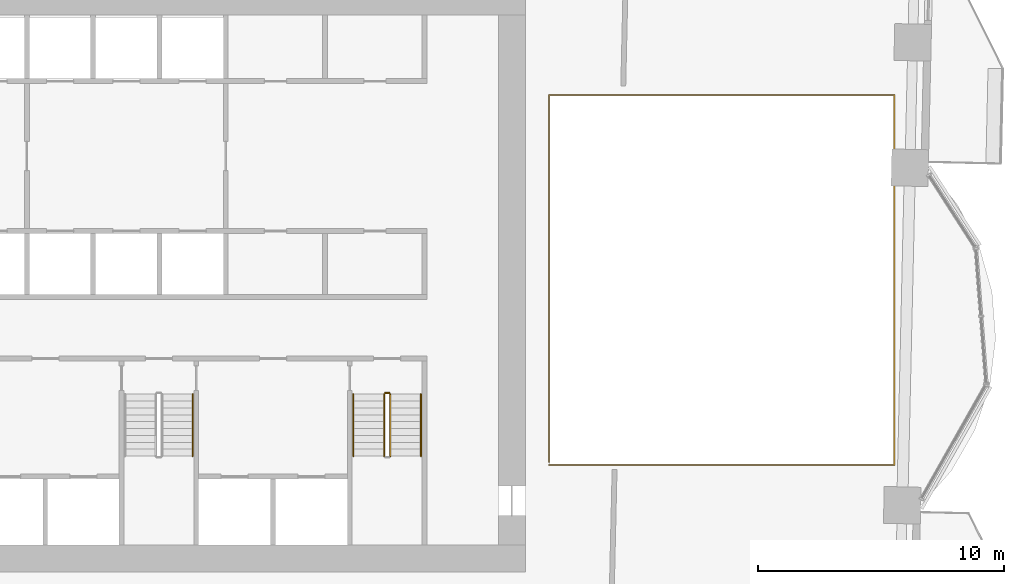
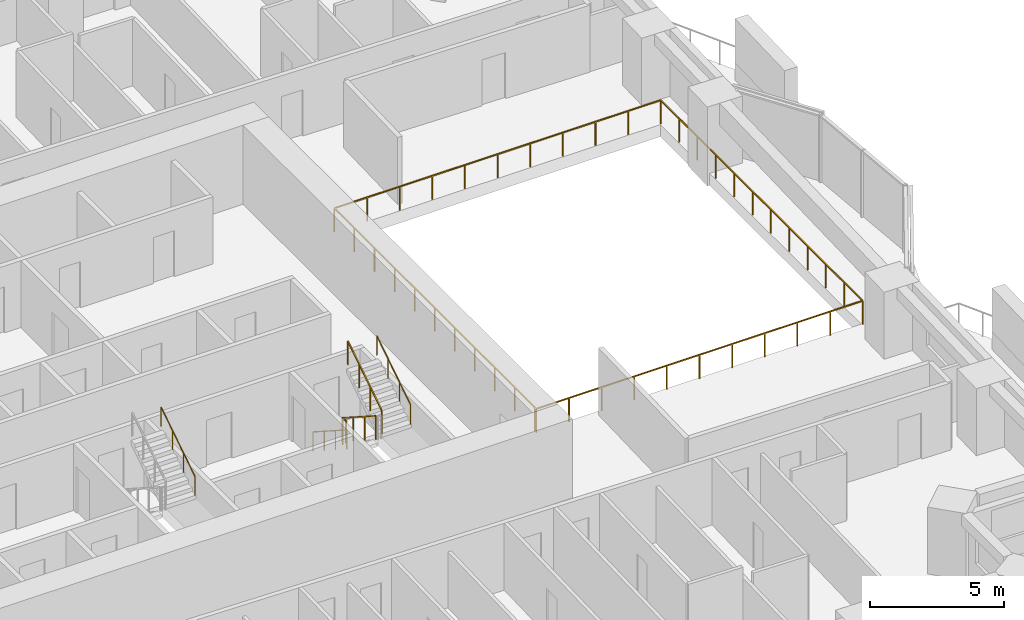
# One storey, part 18 of 19: 7 railings.
"""IFC4 building model written with IfcOpenShell, lengths in metres."""

from ifc_helpers import new_model, si_unit, direction, frame, origin, origin_2d, place, context, subcontext, project, spatial, rectangle, circle, extrude, material, type_object, element, save


model = new_model("IFC4")

# Units and contexts
model_context = context("Model", 3, precision=1e-05, world=origin(), true_north=direction((0.0, 1.0)))
body_context = subcontext(model_context, "Body", "Model", "MODEL_VIEW")
ifc_project = project(units=[si_unit("LENGTHUNIT", "METRE"), si_unit("AREAUNIT", "SQUARE_METRE"), si_unit("VOLUMEUNIT", "CUBIC_METRE"), si_unit("PLANEANGLEUNIT", "RADIAN"), si_unit("MASSUNIT", "GRAM", prefix="KILO")], contexts=[model_context])

# Site, building, storey
site_placement = place(None, origin())
site = spatial("IfcSite", under=ifc_project, at=site_placement, CompositionType="ELEMENT")
building_placement = place(site_placement, origin())
building = spatial("IfcBuilding", under=site, at=building_placement, Name="Mangrove Gate Tower", CompositionType="ELEMENT")
storey_placement = place(building_placement, frame((0.0, 0.0, 63.89990234375)))
storey = spatial("IfcBuildingStorey", under=building, at=storey_placement, Name="L15", CompositionType="ELEMENT", Elevation=63.89990234375)

# Railings
ifc_material_1 = material(Name="Stainless steel grade 316 with laminated glass infill", Category="steel")
railing_type_1 = type_object("IfcRailingType", Name="Balcony guard 1100", PredefinedType="GUARDRAIL", material=ifc_material_1)
railing_1_placement = place(storey_placement, frame((15.860107421875, -7.5400390625, 0.0)))
element("IfcRailing", 1, at=railing_1_placement, inside=storey, type_object=railing_type_1, Name="GUARD L15 atrium", PredefinedType="GUARDRAIL", context=body_context, shape_type="SweptSolid", body=[
    extrude(rectangle(XDim=0.048095703125, YDim=0.048095703125, at=origin_2d()), frame((0.0, 0.0, 1.076171875), z_axis=(1.0, 0.0, 0.0), x_axis=(0.0, 1.0, 0.0)), (0.0, 0.0, 1.0), 14.06982421875),
    extrude(rectangle(XDim=0.048095703125, YDim=0.048095703125, at=origin_2d()), frame((14.06982421875, 0.0, 1.076171875), z_axis=(0.0, 1.0, 0.0), x_axis=(-1.0, 0.0, 0.0)), (0.0, 0.0, 1.0), 15.080078125),
    extrude(rectangle(XDim=0.048095703125, YDim=0.048095703125, at=origin_2d()), frame((14.06982421875, 15.080078125, 1.076171875), z_axis=(-1.0, 0.0, 0.0), x_axis=(0.0, -1.0, 0.0)), (0.0, 0.0, 1.0), 14.06982421875),
    extrude(rectangle(XDim=0.048095703125, YDim=0.048095703125, at=origin_2d()), frame((0.0, 15.080078125, 1.076171875), z_axis=(0.0, -1.0, 0.0), x_axis=(1.0, 0.0, 0.0)), (0.0, 0.0, 1.0), 14.9599609375),
    extrude(rectangle(XDim=0.0419921875, YDim=0.0419921875, at=origin_2d()), origin(), (0.0, 0.0, 1.0), 1.052001953125),
    extrude(rectangle(XDim=0.0419921875, YDim=0.0419921875, at=origin_2d()), frame((1.406982421875, 0.0, 0.0)), (0.0, 0.0, 1.0), 1.052001953125),
    extrude(rectangle(XDim=0.0419921875, YDim=0.0419921875, at=origin_2d()), frame((2.81396484375, 0.0, 0.0)), (0.0, 0.0, 1.0), 1.052001953125),
    extrude(rectangle(XDim=0.0419921875, YDim=0.0419921875, at=origin_2d()), frame((4.220947265625, 0.0, 0.0)), (0.0, 0.0, 1.0), 1.052001953125),
    extrude(rectangle(XDim=0.0419921875, YDim=0.0419921875, at=origin_2d()), frame((5.6279296875, 0.0, 0.0)), (0.0, 0.0, 1.0), 1.052001953125),
    extrude(rectangle(XDim=0.0419921875, YDim=0.0419921875, at=origin_2d()), frame((7.034912109375, 0.0, 0.0)), (0.0, 0.0, 1.0), 1.052001953125),
    extrude(rectangle(XDim=0.0419921875, YDim=0.0419921875, at=origin_2d()), frame((8.44189453125, 0.0, 0.0)), (0.0, 0.0, 1.0), 1.052001953125),
    extrude(rectangle(XDim=0.0419921875, YDim=0.0419921875, at=origin_2d()), frame((9.848876953125, 0.0, 0.0)), (0.0, 0.0, 1.0), 1.052001953125),
    extrude(rectangle(XDim=0.0419921875, YDim=0.0419921875, at=origin_2d()), frame((11.255859375, 0.0, 0.0)), (0.0, 0.0, 1.0), 1.052001953125),
    extrude(rectangle(XDim=0.0419921875, YDim=0.0419921875, at=origin_2d()), frame((12.662841796875, 0.0, 0.0)), (0.0, 0.0, 1.0), 1.052001953125),
    extrude(rectangle(XDim=0.0419921875, YDim=0.0419921875, at=origin_2d()), frame((14.06982421875, 0.0, 0.0)), (0.0, 0.0, 1.0), 1.052001953125),
    extrude(rectangle(XDim=0.0419921875, YDim=0.0419921875, at=origin_2d()), frame((14.06982421875, 1.370849609375, 0.0)), (0.0, 0.0, 1.0), 1.052001953125),
    extrude(rectangle(XDim=0.0419921875, YDim=0.0419921875, at=origin_2d()), frame((14.06982421875, 2.741943359375, 0.0)), (0.0, 0.0, 1.0), 1.052001953125),
    extrude(rectangle(XDim=0.0419921875, YDim=0.0419921875, at=origin_2d()), frame((14.06982421875, 4.11279296875, 0.0)), (0.0, 0.0, 1.0), 1.052001953125),
    extrude(rectangle(XDim=0.0419921875, YDim=0.0419921875, at=origin_2d()), frame((14.06982421875, 5.483642578125, 0.0)), (0.0, 0.0, 1.0), 1.052001953125),
    extrude(rectangle(XDim=0.0419921875, YDim=0.0419921875, at=origin_2d()), frame((14.06982421875, 6.8544921875, 0.0)), (0.0, 0.0, 1.0), 1.052001953125),
    extrude(rectangle(XDim=0.0419921875, YDim=0.0419921875, at=origin_2d()), frame((14.06982421875, 8.2255859375, 0.0)), (0.0, 0.0, 1.0), 1.052001953125),
    extrude(rectangle(XDim=0.0419921875, YDim=0.0419921875, at=origin_2d()), frame((14.06982421875, 9.596435546875, 0.0)), (0.0, 0.0, 1.0), 1.052001953125),
    extrude(rectangle(XDim=0.0419921875, YDim=0.0419921875, at=origin_2d()), frame((14.06982421875, 10.96728515625, 0.0)), (0.0, 0.0, 1.0), 1.052001953125),
    extrude(rectangle(XDim=0.0419921875, YDim=0.0419921875, at=origin_2d()), frame((14.06982421875, 12.338134765625, 0.0)), (0.0, 0.0, 1.0), 1.052001953125),
    extrude(rectangle(XDim=0.0419921875, YDim=0.0419921875, at=origin_2d()), frame((14.06982421875, 13.709228515625, 0.0)), (0.0, 0.0, 1.0), 1.052001953125),
    extrude(rectangle(XDim=0.0419921875, YDim=0.0419921875, at=origin_2d()), frame((14.06982421875, 15.080078125, 0.0)), (0.0, 0.0, 1.0), 1.052001953125),
    extrude(rectangle(XDim=0.0419921875, YDim=0.0419921875, at=origin_2d()), frame((12.662841796875, 15.080078125, 0.0)), (0.0, 0.0, 1.0), 1.052001953125),
    extrude(rectangle(XDim=0.0419921875, YDim=0.0419921875, at=origin_2d()), frame((11.255859375, 15.080078125, 0.0)), (0.0, 0.0, 1.0), 1.052001953125),
    extrude(rectangle(XDim=0.0419921875, YDim=0.0419921875, at=origin_2d()), frame((9.848876953125, 15.080078125, 0.0)), (0.0, 0.0, 1.0), 1.052001953125),
    extrude(rectangle(XDim=0.0419921875, YDim=0.0419921875, at=origin_2d()), frame((8.44189453125, 15.080078125, 0.0)), (0.0, 0.0, 1.0), 1.052001953125),
    extrude(rectangle(XDim=0.0419921875, YDim=0.0419921875, at=origin_2d()), frame((7.034912109375, 15.080078125, 0.0)), (0.0, 0.0, 1.0), 1.052001953125),
    extrude(rectangle(XDim=0.0419921875, YDim=0.0419921875, at=origin_2d()), frame((5.6279296875, 15.080078125, 0.0)), (0.0, 0.0, 1.0), 1.052001953125),
    extrude(rectangle(XDim=0.0419921875, YDim=0.0419921875, at=origin_2d()), frame((4.220947265625, 15.080078125, 0.0)), (0.0, 0.0, 1.0), 1.052001953125),
    extrude(rectangle(XDim=0.0419921875, YDim=0.0419921875, at=origin_2d()), frame((2.81396484375, 15.080078125, 0.0)), (0.0, 0.0, 1.0), 1.052001953125),
    extrude(rectangle(XDim=0.0419921875, YDim=0.0419921875, at=origin_2d()), frame((1.406982421875, 15.080078125, 0.0)), (0.0, 0.0, 1.0), 1.052001953125),
    extrude(rectangle(XDim=0.0419921875, YDim=0.0419921875, at=origin_2d()), frame((0.0, 15.080078125, 0.0)), (0.0, 0.0, 1.0), 1.052001953125),
    extrude(rectangle(XDim=0.0419921875, YDim=0.0419921875, at=origin_2d()), frame((0.0, 13.583984375, 0.0)), (0.0, 0.0, 1.0), 1.052001953125),
    extrude(rectangle(XDim=0.0419921875, YDim=0.0419921875, at=origin_2d()), frame((0.0, 12.088134765625, 0.0)), (0.0, 0.0, 1.0), 1.052001953125),
    extrude(rectangle(XDim=0.0419921875, YDim=0.0419921875, at=origin_2d()), frame((0.0, 10.592041015625, 0.0)), (0.0, 0.0, 1.0), 1.052001953125),
    extrude(rectangle(XDim=0.0419921875, YDim=0.0419921875, at=origin_2d()), frame((0.0, 9.09619140625, 0.0)), (0.0, 0.0, 1.0), 1.052001953125),
    extrude(rectangle(XDim=0.0419921875, YDim=0.0419921875, at=origin_2d()), frame((0.0, 7.60009765625, 0.0)), (0.0, 0.0, 1.0), 1.052001953125),
    extrude(rectangle(XDim=0.0419921875, YDim=0.0419921875, at=origin_2d()), frame((0.0, 6.10400390625, 0.0)), (0.0, 0.0, 1.0), 1.052001953125),
    extrude(rectangle(XDim=0.0419921875, YDim=0.0419921875, at=origin_2d()), frame((0.0, 4.608154296875, 0.0)), (0.0, 0.0, 1.0), 1.052001953125),
    extrude(rectangle(XDim=0.0419921875, YDim=0.0419921875, at=origin_2d()), frame((0.0, 3.112060546875, 0.0)), (0.0, 0.0, 1.0), 1.052001953125),
    extrude(rectangle(XDim=0.0419921875, YDim=0.0419921875, at=origin_2d()), frame((0.0, 1.6162109375, 0.0)), (0.0, 0.0, 1.0), 1.052001953125),
    extrude(rectangle(XDim=0.0419921875, YDim=0.0419921875, at=origin_2d()), frame((0.0, 0.1201171875, 0.0)), (0.0, 0.0, 1.0), 1.052001953125),
])
ifc_material_2 = material(Name="Stainless steel 316", Category="steel")
railing_type_2 = type_object("IfcRailingType", Name="Core stair guard 1100", PredefinedType="GUARDRAIL", material=ifc_material_2)
railing_2_placement = place(storey_placement, frame((9.14990234375, -4.64990234375, 0.18017578125)))
element("IfcRailing", 2, at=railing_2_placement, inside=storey, type_object=railing_type_2, Name="L15 ST3 stair guard 1", PredefinedType="GUARDRAIL", context=body_context, shape_type="SweptSolid", body=[
    extrude(rectangle(XDim=0.048095703125, YDim=0.048095703125, at=origin_2d()), frame((0.0, 0.0, 1.076171875), z_axis=(0.0, -0.841199657755, 0.540724639528), x_axis=(1.0, 0.0, 0.0)), (0.0, 0.0, 1.0), 2.995849609375),
    extrude(rectangle(XDim=0.0419921875, YDim=0.0419921875, at=origin_2d()), origin(), (0.0, 0.0, 1.0), 1.052001953125),
    extrude(rectangle(XDim=0.0419921875, YDim=0.0419921875, at=origin_2d()), frame((0.0, -0.840087890625, 0.5400390625)), (0.0, 0.0, 1.0), 1.052001953125),
    extrude(rectangle(XDim=0.0419921875, YDim=0.0419921875, at=origin_2d()), frame((0.0, -1.679931640625, 1.079833984375)), (0.0, 0.0, 1.0), 1.052001953125),
    extrude(rectangle(XDim=0.0419921875, YDim=0.0419921875, at=origin_2d()), frame((0.0, -2.52001953125, 1.619873046875)), (0.0, 0.0, 1.0), 1.052001953125),
])
railing_3_placement = place(storey_placement, frame((9.39990234375, -7.169921875, 1.97998046875)))
element("IfcRailing", 3, at=railing_3_placement, inside=storey, type_object=railing_type_2, Name="L15 ST3 stair guard 3", PredefinedType="GUARDRAIL", context=body_context, shape_type="SweptSolid", body=[
    extrude(rectangle(XDim=0.048095703125, YDim=0.048095703125, at=origin_2d()), frame((0.0, 0.0, 1.076171875), z_axis=(0.0, 0.841162588446, 0.540782303519), x_axis=(-1.0, 0.0, 0.0)), (0.0, 0.0, 1.0), 2.995849609375),
    extrude(rectangle(XDim=0.0419921875, YDim=0.0419921875, at=origin_2d()), origin(), (0.0, 0.0, 1.0), 1.052001953125),
    extrude(rectangle(XDim=0.0419921875, YDim=0.0419921875, at=origin_2d()), frame((0.0, 0.840087890625, 0.5400390625)), (0.0, 0.0, 1.0), 1.052001953125),
    extrude(rectangle(XDim=0.0419921875, YDim=0.0419921875, at=origin_2d()), frame((0.0, 1.679931640625, 1.080078125)), (0.0, 0.0, 1.0), 1.052001953125),
    extrude(rectangle(XDim=0.0419921875, YDim=0.0419921875, at=origin_2d()), frame((0.0, 2.52001953125, 1.6201171875)), (0.0, 0.0, 1.0), 1.052001953125),
])
railing_4_placement = place(storey_placement, frame((9.199951171875, -4.60009765625, 0.0)))
element("IfcRailing", 4, at=railing_4_placement, inside=storey, type_object=railing_type_2, Name="L15 ST3 stair guard 4", PredefinedType="GUARDRAIL", context=body_context, shape_type="SweptSolid", body=[
    extrude(rectangle(XDim=0.048095703125, YDim=0.048095703125, at=origin_2d()), frame((0.0, 0.0, 1.076171875), z_axis=(1.0, 0.0, 0.0), x_axis=(0.0, 1.0, 0.0)), (0.0, 0.0, 1.0), 0.150146484375),
    extrude(rectangle(XDim=0.0419921875, YDim=0.0419921875, at=origin_2d()), origin(), (0.0, 0.0, 1.0), 1.052001953125),
    extrude(rectangle(XDim=0.0419921875, YDim=0.0419921875, at=origin_2d()), frame((0.150146484375, 0.0, 0.0)), (0.0, 0.0, 1.0), 1.052001953125),
])
ifc_material_3 = material(Name="Stainless steel 316", Category="steel")
railing_type_3 = type_object("IfcRailingType", Name="Core stair handrail 900", PredefinedType="HANDRAIL", material=ifc_material_3)
railing_5_placement = place(storey_placement, frame((1.35009765625, -7.169921875, 1.97998046875)))
element("IfcRailing", 5, at=railing_5_placement, inside=storey, type_object=railing_type_3, Name="L15 ST2 stair handrail 2", PredefinedType="HANDRAIL", context=body_context, shape_type="SweptSolid", body=[
    extrude(circle(Radius=0.02392578125, at=origin_2d()), frame((0.0, 0.0, 0.8759765625), z_axis=(0.0, 0.841162588446, 0.540782303519), x_axis=(-1.0, 0.0, 0.0)), (0.0, 0.0, 1.0), 2.995849609375),
    extrude(circle(Radius=0.02099609375, at=origin_2d()), origin(), (0.0, 0.0, 1.0), 0.851806640625),
    extrude(circle(Radius=0.02099609375, at=origin_2d()), frame((0.0, 0.840087890625, 0.5400390625)), (0.0, 0.0, 1.0), 0.851806640625),
    extrude(circle(Radius=0.02099609375, at=origin_2d()), frame((0.0, 1.679931640625, 1.080078125)), (0.0, 0.0, 1.0), 0.851806640625),
    extrude(circle(Radius=0.02099609375, at=origin_2d()), frame((0.0, 2.52001953125, 1.6201171875)), (0.0, 0.0, 1.0), 0.851806640625),
])
railing_6_placement = place(storey_placement, frame((7.89990234375, -4.64990234375, 0.18017578125)))
element("IfcRailing", 6, at=railing_6_placement, inside=storey, type_object=railing_type_3, Name="L15 ST3 stair handrail 1", PredefinedType="HANDRAIL", context=body_context, shape_type="SweptSolid", body=[
    extrude(circle(Radius=0.02392578125, at=origin_2d()), frame((0.0, 0.0, 0.8759765625), z_axis=(0.0, -0.841199657755, 0.540724639528), x_axis=(1.0, 0.0, 0.0)), (0.0, 0.0, 1.0), 2.995849609375),
    extrude(circle(Radius=0.02099609375, at=origin_2d()), origin(), (0.0, 0.0, 1.0), 0.851806640625),
    extrude(circle(Radius=0.02099609375, at=origin_2d()), frame((0.0, -0.840087890625, 0.5400390625)), (0.0, 0.0, 1.0), 0.851806640625),
    extrude(circle(Radius=0.02099609375, at=origin_2d()), frame((0.0, -1.679931640625, 1.079833984375)), (0.0, 0.0, 1.0), 0.851806640625),
    extrude(circle(Radius=0.02099609375, at=origin_2d()), frame((0.0, -2.52001953125, 1.619873046875)), (0.0, 0.0, 1.0), 0.851806640625),
])
railing_7_placement = place(storey_placement, frame((10.64990234375, -7.169921875, 1.97998046875)))
element("IfcRailing", 7, at=railing_7_placement, inside=storey, type_object=railing_type_3, Name="L15 ST3 stair handrail 2", PredefinedType="HANDRAIL", context=body_context, shape_type="SweptSolid", body=[
    extrude(circle(Radius=0.02392578125, at=origin_2d()), frame((0.0, 0.0, 0.8759765625), z_axis=(0.0, 0.841162588446, 0.540782303519), x_axis=(-1.0, 0.0, 0.0)), (0.0, 0.0, 1.0), 2.995849609375),
    extrude(circle(Radius=0.02099609375, at=origin_2d()), origin(), (0.0, 0.0, 1.0), 0.851806640625),
    extrude(circle(Radius=0.02099609375, at=origin_2d()), frame((0.0, 0.840087890625, 0.5400390625)), (0.0, 0.0, 1.0), 0.851806640625),
    extrude(circle(Radius=0.02099609375, at=origin_2d()), frame((0.0, 1.679931640625, 1.080078125)), (0.0, 0.0, 1.0), 0.851806640625),
    extrude(circle(Radius=0.02099609375, at=origin_2d()), frame((0.0, 2.52001953125, 1.6201171875)), (0.0, 0.0, 1.0), 0.851806640625),
])

save(model, "model.ifc")
